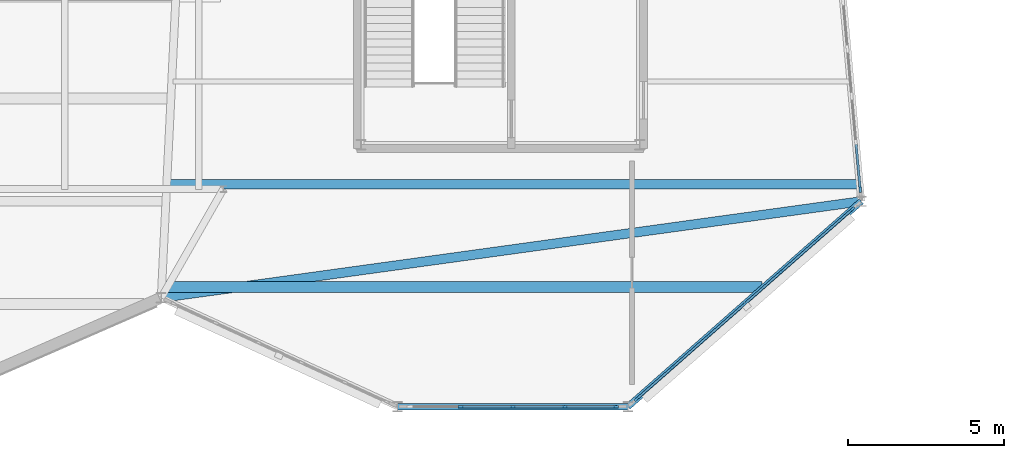
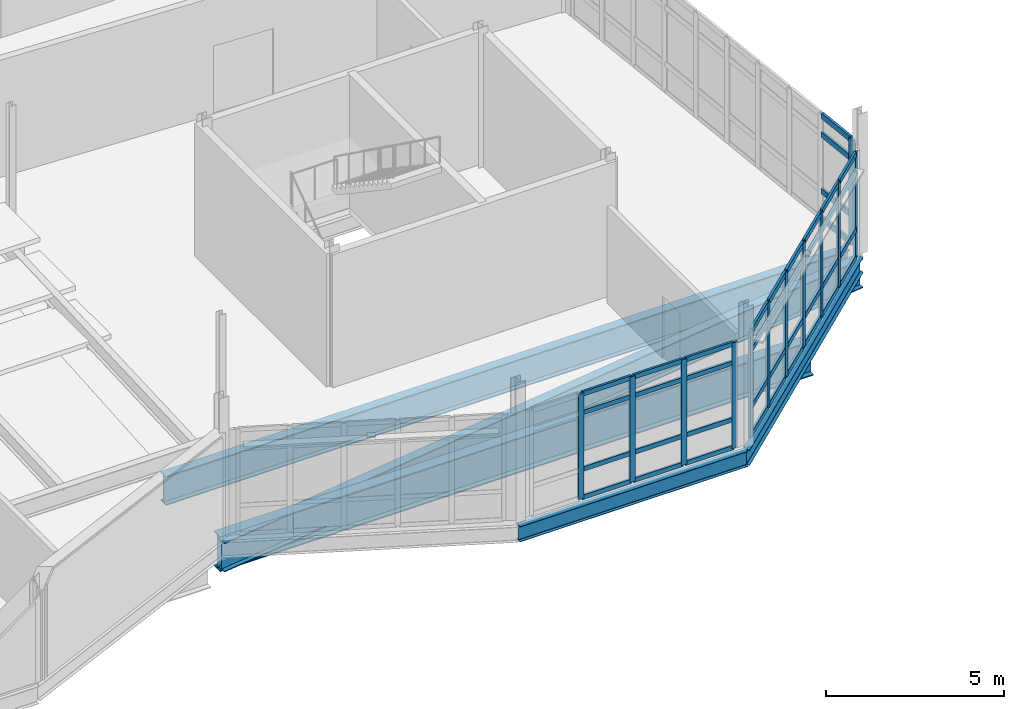
# One storey, part 27 of 134: 52 members, 5 beams, 3 elements without a shape of their own.
"""IFC4 building model written with IfcOpenShell, lengths in metres."""

import ifcopenshell
import ifcopenshell.guid

model = None  # the IFC model being written
_history = None  # IfcOwnerHistory: only IFC2X3 demands one
_inside = {}  # id of a spatial element -> (the spatial element, [elements in it])
_under = {}  # id of a project, library or spatial element -> (it, [spatial elements below it])
_declared = {}  # id of a project -> (the project, [libraries it declares])
_typed = {}  # id of a type object -> (the type object, [elements of that type])
_made_of = {}  # id of a material, layer set ... -> (it, [elements and type objects made of it])


def new_model(schema):
    """Start an empty IFC model of exactly this schema.

    Asked for "IFC4X3", IfcOpenShell would pick the latest addendum, in which some entities
    have other attributes; the version numbers below select the first issue.
    IFC2X3 requires an IfcOwnerHistory on every rooted entity: one is made here for all.
    """
    global model, _history
    if schema == "IFC4X3":
        model = ifcopenshell.file(schema_version=(4, 3, 0, 0))
    else:
        model = ifcopenshell.file(schema=schema)
    _inside.clear()
    _under.clear()
    _declared.clear()
    _typed.clear()
    _made_of.clear()
    _history = None
    if model.schema == "IFC2X3":
        org = make("IfcOrganization", Name="unknown")
        user = make(
            "IfcPersonAndOrganization",
            ThePerson=make("IfcPerson", FamilyName="unknown"),
            TheOrganization=org,
        )
        app = make(
            "IfcApplication",
            ApplicationDeveloper=org,
            Version="unknown",
            ApplicationFullName="unknown",
            ApplicationIdentifier="unknown",
        )
        _history = make(
            "IfcOwnerHistory",
            OwningUser=user,
            OwningApplication=app,
            ChangeAction="ADDED",
            CreationDate=0,
        )
    return model


def make(cls, **values):
    """One entity of the class cls with the attributes given. An attribute that is None is left unset."""
    return model.create_entity(
        cls, **{name: value for name, value in values.items() if value is not None}
    )


def rooted(cls, **values):
    """An entity with a GlobalId (a new one), such as an element, a storey or a relation."""
    return make(cls, GlobalId=ifcopenshell.guid.new(), OwnerHistory=_history, **values)


def si_unit(unit_type, name, prefix=None):
    """IfcSIUnit, for example si_unit("LENGTHUNIT", "METRE", prefix="MILLI")."""
    return make("IfcSIUnit", UnitType=unit_type, Prefix=prefix, Name=name)


def assignment(units):
    """IfcUnitAssignment: the units of a project."""
    return None if units is None else make("IfcUnitAssignment", Units=units)


def point(xyz):
    """IfcCartesianPoint."""
    return None if xyz is None else make("IfcCartesianPoint", Coordinates=xyz)


def direction(xyz):
    """IfcDirection."""
    return None if xyz is None else make("IfcDirection", DirectionRatios=xyz)


def frame(location, z_axis=None, x_axis=None):
    """IfcAxis2Placement3D, a coordinate frame: its origin and axes. An axis left out is left unset."""
    return make(
        "IfcAxis2Placement3D",
        Location=point(location),
        Axis=direction(z_axis),
        RefDirection=direction(x_axis),
    )


def frame_2d(location, x_axis=None):
    """IfcAxis2Placement2D, a coordinate frame in the plane: its origin and x axis."""
    return make(
        "IfcAxis2Placement2D", Location=point(location), RefDirection=direction(x_axis)
    )


def origin():
    """The frame at (0, 0, 0) with its axes left unset."""
    return frame((0.0, 0.0, 0.0))


def origin_2d():
    """The frame at (0, 0) in the plane with its x axis left unset."""
    return frame_2d((0.0, 0.0))


def place(relative_to, where):
    """IfcLocalPlacement: puts the frame where relative to a parent placement (None: the world)."""
    return make(
        "IfcLocalPlacement", PlacementRelTo=relative_to, RelativePlacement=where
    )


def context(
    kind, dimensions, precision=None, world=None, true_north=None, identifier=None
):
    """IfcGeometricRepresentationContext, for example the 3D "Model" context."""
    return make(
        "IfcGeometricRepresentationContext",
        ContextIdentifier=identifier,
        ContextType=kind,
        CoordinateSpaceDimension=dimensions,
        Precision=precision,
        WorldCoordinateSystem=world,
        TrueNorth=true_north,
    )


def subcontext(parent, identifier, kind, view, scale=None):
    """IfcGeometricRepresentationSubContext, for example "Body" below "Model"."""
    return make(
        "IfcGeometricRepresentationSubContext",
        ContextIdentifier=identifier,
        ContextType=kind,
        ParentContext=parent,
        TargetScale=scale,
        TargetView=view,
    )


def project(units=None, contexts=None):
    """IfcProject with its units and contexts."""
    return rooted(
        "IfcProject",
        Name="project",
        RepresentationContexts=contexts,
        UnitsInContext=assignment(units),
    )


def spatial(cls, under=None, at=None, **own):
    """A site, building, storey or space (cls), placed at a placement, below another one or the project."""
    s = rooted(cls, ObjectPlacement=at, **own)
    if under is not None:
        _under.setdefault(under.id(), (under, []))[1].append(s)
    return s


def profile(cls, at=None, kind="AREA", **sizes):
    """A parametric profile (cls). Its sizes go by their IFC names, for example OverallWidth=200.0."""
    return make(cls, ProfileType=kind, Position=at, **sizes)


def rectangle(**sizes):
    """IfcRectangleProfileDef."""
    return profile("IfcRectangleProfileDef", **sizes)


def i_section(**sizes):
    """IfcIShapeProfileDef."""
    return profile("IfcIShapeProfileDef", **sizes)


def extrude(swept, where, along, depth):
    """IfcExtrudedAreaSolid: the profile swept, set in the frame where, extruded along a direction by depth."""
    return make(
        "IfcExtrudedAreaSolid",
        SweptArea=swept,
        Position=where,
        ExtrudedDirection=direction(along),
        Depth=depth,
    )


def shape(context_of_items, identifier, shape_type, items):
    """IfcShapeRepresentation: the items that make up one representation, for example the "Body"."""
    return make(
        "IfcShapeRepresentation",
        ContextOfItems=context_of_items,
        RepresentationIdentifier=identifier,
        RepresentationType=shape_type,
        Items=items,
    )


def material(Name=None, Category=None):
    """IfcMaterial."""
    return make("IfcMaterial", Name=Name, Category=Category)


def material_profile(
    of_material, cross_section, Name=None, Category=None, Priority=None
):
    """IfcMaterialProfile: a cross section and its material."""
    return make(
        "IfcMaterialProfile",
        Name=Name,
        Material=of_material,
        Profile=cross_section,
        Priority=Priority,
        Category=Category,
    )


def profile_set(profiles, Name=None, composite=None):
    """IfcMaterialProfileSet."""
    return make(
        "IfcMaterialProfileSet",
        Name=Name,
        MaterialProfiles=profiles,
        CompositeProfile=composite,
    )


def made_of(thing, what):
    """Note that an element or type object is made of a material, layer set ...; save() writes the relation."""
    if what is not None:
        _made_of.setdefault(what.id(), (what, []))[1].append(thing)
    return thing


def type_object(cls, material=None, **own):
    """A type object (cls), such as IfcWallType, which elements share."""
    return made_of(rooted(cls, **own), material)


def element(
    cls,
    number,
    at=None,
    inside=None,
    cuts=None,
    type_object=None,
    material=None,
    context=None,
    identifier="Body",
    shape_type=None,
    held_by="IfcProductDefinitionShape",
    body=None,
    shapes=None,
    **own,
):
    """One element of the class cls, such as IfcWall. Its Tag is "e" and its number.

    at: its placement. inside: the storey or other place that contains it. cuts: it is an
    opening in that element (IfcRelVoidsElement). A single representation is given by context,
    identifier, shape_type and body (its items); several are given by shapes. held_by: the class
    of the entity that holds the representations. save() writes the other relations.
    """
    e = rooted(cls, Tag="e%d" % number, ObjectPlacement=at, **own)
    if body is not None:
        shapes = [shape(context, identifier, shape_type, body)]
    if shapes is not None:
        e.Representation = make(held_by, Representations=shapes)
    if inside is not None:
        _inside.setdefault(inside.id(), (inside, []))[1].append(e)
    if cuts is not None:
        rooted(
            "IfcRelVoidsElement", RelatingBuildingElement=cuts, RelatedOpeningElement=e
        )
    if type_object is not None:
        _typed.setdefault(type_object.id(), (type_object, []))[1].append(e)
    return made_of(e, material)


def aggregate(whole, parts):
    """IfcRelAggregates: a whole, such as a stair, and the parts it consists of."""
    return rooted("IfcRelAggregates", RelatingObject=whole, RelatedObjects=parts)


def save(model, path):
    """Write the relations noted so far, then the file.

    IfcRelAggregates (storeys below a building ...), IfcRelContainedInSpatialStructure (elements
    in a storey), IfcRelDefinesByType, IfcRelAssociatesMaterial and IfcRelDeclares: one each for
    every whole, place, type object, material and project.
    """
    for whole, parts in _under.values():
        aggregate(whole, parts)
    for where, things in _inside.values():
        rooted(
            "IfcRelContainedInSpatialStructure",
            RelatedElements=things,
            RelatingStructure=where,
        )
    for kind, things in _typed.values():
        rooted("IfcRelDefinesByType", RelatedObjects=things, RelatingType=kind)
    for what, things in _made_of.values():
        rooted("IfcRelAssociatesMaterial", RelatedObjects=things, RelatingMaterial=what)
    for by, libraries in _declared.values():
        rooted("IfcRelDeclares", RelatingContext=by, RelatedDefinitions=libraries)
    model.write(path)


model = new_model("IFC4")

# Units and contexts
model_context = context("Model", 3, precision=1e-05, world=origin(), true_north=direction((0.0, 1.0)))
body_context = subcontext(model_context, "Body", "Model", "MODEL_VIEW")
ifc_project = project(units=[si_unit("LENGTHUNIT", "METRE"), si_unit("AREAUNIT", "SQUARE_METRE"), si_unit("VOLUMEUNIT", "CUBIC_METRE"), si_unit("PLANEANGLEUNIT", "RADIAN"), si_unit("MASSUNIT", "GRAM", prefix="KILO")], contexts=[model_context])

# Site, building, storey
site_placement = place(None, origin())
site = spatial("IfcSite", under=ifc_project, at=site_placement, CompositionType="ELEMENT")
building_placement = place(site_placement, origin())
building = spatial("IfcBuilding", under=site, at=building_placement, Name="Tameran Prism Museum", CompositionType="ELEMENT")
storey_placement = place(building_placement, frame((0.0, 0.0, 5.39990234375)))
storey = spatial("IfcBuildingStorey", under=building, at=storey_placement, Name="L01", CompositionType="ELEMENT", Elevation=5.39990234375)

# Beams
ifc_material_1 = material(Name="Steel Grade 300PLUS (300 MPa)", Category="steel")
ifc_material_profile_1 = material_profile(ifc_material_1, i_section(OverallWidth=0.208984375, OverallDepth=0.532958984375, WebThickness=0.01025390625, FlangeThickness=0.015625, FilletRadius=0.013916015625, at=origin_2d()))
ifc_profile_set_1 = profile_set([ifc_material_profile_1])
beam_type_1 = type_object("IfcBeamType", Name="BM-SP530A", PredefinedType="SPANDREL", material=ifc_profile_set_1)
beam_1_placement = place(storey_placement, frame((37.60009765625, 0.0, -0.46630859375), z_axis=(0.75070866914, 0.660633403696, 0.0), x_axis=(-0.660633403696, 0.75070866914, 0.0)))
element("IfcBeam", 1, at=beam_1_placement, inside=storey, type_object=beam_type_1, Name="Perimeter Spandrel SP-0393", PredefinedType="SPANDREL", context=body_context, shape_type="SweptSolid", body=[
    extrude(i_section(OverallWidth=0.208984375, OverallDepth=0.532958984375, WebThickness=0.01025390625, FlangeThickness=0.015625, FilletRadius=0.013916015625, at=origin_2d()), origin(), (0.0, 0.0, 1.0), 9.990478515625),
])
ifc_material_2 = material(Name="Steel Grade 300PLUS (300 MPa)", Category="steel")
ifc_material_profile_2 = material_profile(ifc_material_2, i_section(OverallWidth=0.208984375, OverallDepth=0.528076171875, WebThickness=0.009521484375, FlangeThickness=0.01318359375, FilletRadius=0.013916015625, at=origin_2d()))
ifc_profile_set_2 = profile_set([ifc_material_profile_2])
beam_type_2 = type_object("IfcBeamType", Name="BM-SP530B", PredefinedType="SPANDREL", material=ifc_profile_set_2)
beam_2_placement = place(storey_placement, frame((30.199951171875, 0.0, -0.4638671875), z_axis=(1.0, 0.0, 0.0), x_axis=(0.0, 1.0, 0.0)))
element("IfcBeam", 2, at=beam_2_placement, inside=storey, type_object=beam_type_2, Name="Perimeter Spandrel SP-0392", PredefinedType="SPANDREL", context=body_context, shape_type="SweptSolid", body=[
    extrude(i_section(OverallWidth=0.208984375, OverallDepth=0.528076171875, WebThickness=0.009521484375, FlangeThickness=0.01318359375, FilletRadius=0.013916015625, at=origin_2d()), origin(), (0.0, 0.0, 1.0), 7.400146484375),
])
ifc_material_3 = material(Name="Steel Grade 350 (350 MPa)", Category="steel")
ifc_material_profile_3 = material_profile(ifc_material_3, i_section(OverallWidth=0.300048828125, OverallDepth=1.0, WebThickness=0.01611328125, FlangeThickness=0.031982421875, at=origin_2d()))
ifc_profile_set_3 = profile_set([ifc_material_profile_3])
beam_type_3 = type_object("IfcBeamType", Name="BM-WB1000", PredefinedType="BEAM", material=ifc_profile_set_3)
beam_3_placement = place(storey_placement, frame((22.60009765625, 3.5, -0.699951171875), z_axis=(0.990641086736, 0.136492627163, 0.0), x_axis=(-0.136492627163, 0.990641086736, 0.0)))
element("IfcBeam", 3, at=beam_3_placement, inside=storey, type_object=beam_type_3, Name="Primary Vertex Girder PG-0396", PredefinedType="BEAM", context=body_context, shape_type="SweptSolid", body=[
    extrude(i_section(OverallWidth=0.300048828125, OverallDepth=1.0, WebThickness=0.01611328125, FlangeThickness=0.031982421875, at=origin_2d()), origin(), (0.0, 0.0, 1.0), 22.712646484375),
])
beam_4_placement = place(storey_placement, frame((22.818115234375, 7.14990234375, -0.699951171875), z_axis=(1.0, 0.0, 0.0), x_axis=(0.0, 1.0, 0.0)))
element("IfcBeam", 4, at=beam_4_placement, inside=storey, type_object=beam_type_3, Name="Floor Beam BM-0590", PredefinedType="BEAM", context=body_context, shape_type="SweptSolid", body=[
    extrude(i_section(OverallWidth=0.300048828125, OverallDepth=1.0, WebThickness=0.01611328125, FlangeThickness=0.031982421875, at=origin_2d()), origin(), (0.0, 0.0, 1.0), 22.19189453125),
])
ifc_material_4 = material(Name="Steel Grade 350 (350 MPa)", Category="steel")
ifc_material_profile_4 = material_profile(ifc_material_4, i_section(OverallWidth=0.35009765625, OverallDepth=1.199951171875, WebThickness=0.01611328125, FlangeThickness=0.035888671875, at=origin_2d()))
ifc_profile_set_4 = profile_set([ifc_material_profile_4])
beam_type_4 = type_object("IfcBeamType", Name="BM-WB1200", PredefinedType="BEAM", material=ifc_profile_set_4)
beam_5_placement = place(storey_placement, frame((22.656982421875, 3.85009765625, -0.7998046875), z_axis=(1.0, 0.0, 0.0), x_axis=(0.0, 1.0, 0.0)))
element("IfcBeam", 5, at=beam_5_placement, inside=storey, type_object=beam_type_4, Name="Floor Beam BM-0589", PredefinedType="BEAM", context=body_context, shape_type="SweptSolid", body=[
    extrude(i_section(OverallWidth=0.35009765625, OverallDepth=1.199951171875, WebThickness=0.01611328125, FlangeThickness=0.035888671875, at=origin_2d()), origin(), (0.0, 0.0, 1.0), 19.257080078125),
])

# Curtain wall, members
ifc_material_5 = material(Name="Anodised Aluminium 6063-T6 and Cyclone Solar Glass", Category="aluminium")
curtain_wall_type_1 = type_object("IfcCurtainWallType", Name="CW-FAC-670x362", PredefinedType="USERDEFINED", material=ifc_material_5)
curtain_wall_1_placement = place(storey_placement, origin())
curtain_wall_1 = element("IfcCurtainWall", 6, at=curtain_wall_1_placement, inside=storey, type_object=curtain_wall_type_1, Name="Unitised Curtain Wall CW-084", ObjectType="UNITISED CURTAIN WALL", PredefinedType="USERDEFINED")
ifc_material_6 = material(Name="Anodised Aluminium Alloy 6063-T6", Category="aluminium")
ifc_material_profile_5 = material_profile(ifc_material_6, rectangle(XDim=0.070068359375, YDim=0.179931640625, at=origin_2d()))
ifc_profile_set_5 = profile_set([ifc_material_profile_5])
member_type_1 = type_object("IfcMemberType", Name="CW-MUL-B", PredefinedType="MULLION", material=ifc_profile_set_5)
member_1_placement = place(storey_placement, frame((37.215087890625, 0.0, 0.0), z_axis=(0.0, 0.0, 1.0), x_axis=(0.0, -1.0, 0.0)))
member_1 = element("IfcMember", 7, at=member_1_placement, type_object=member_type_1, Name="CW-084 mullion 1", PredefinedType="MULLION", context=body_context, shape_type="SweptSolid", body=[
    extrude(rectangle(XDim=0.070068359375, YDim=0.179931640625, at=origin_2d()), origin(), (0.0, 0.0, 1.0), 3.6201171875),
])
member_2_placement = place(storey_placement, frame((35.574951171875, 0.0, 0.0), z_axis=(0.0, 0.0, 1.0), x_axis=(0.0, -1.0, 0.0)))
member_2 = element("IfcMember", 8, at=member_2_placement, type_object=member_type_1, Name="CW-084 mullion 2", PredefinedType="MULLION", context=body_context, shape_type="SweptSolid", body=[
    extrude(rectangle(XDim=0.070068359375, YDim=0.179931640625, at=origin_2d()), origin(), (0.0, 0.0, 1.0), 3.6201171875),
])
member_3_placement = place(storey_placement, frame((33.89990234375, 0.0, 0.0), z_axis=(0.0, 0.0, 1.0), x_axis=(0.0, -1.0, 0.0)))
member_3 = element("IfcMember", 9, at=member_3_placement, type_object=member_type_1, Name="CW-084 mullion 3", PredefinedType="MULLION", context=body_context, shape_type="SweptSolid", body=[
    extrude(rectangle(XDim=0.070068359375, YDim=0.179931640625, at=origin_2d()), origin(), (0.0, 0.0, 1.0), 3.6201171875),
])
member_4_placement = place(storey_placement, frame((32.22509765625, 0.0, 0.0), z_axis=(0.0, 0.0, 1.0), x_axis=(0.0, -1.0, 0.0)))
member_4 = element("IfcMember", 10, at=member_4_placement, type_object=member_type_1, Name="CW-084 mullion 4", PredefinedType="MULLION", context=body_context, shape_type="SweptSolid", body=[
    extrude(rectangle(XDim=0.070068359375, YDim=0.179931640625, at=origin_2d()), origin(), (0.0, 0.0, 1.0), 3.6201171875),
])

ifc_material_7 = material(Name="Anodised Aluminium 6063-T6 and Cyclone Solar Glass", Category="aluminium")
curtain_wall_type_2 = type_object("IfcCurtainWallType", Name="CW-FAC-929x362", PredefinedType="USERDEFINED", material=ifc_material_7)
curtain_wall_2_placement = place(storey_placement, origin())
curtain_wall_2 = element("IfcCurtainWall", 11, at=curtain_wall_2_placement, inside=storey, type_object=curtain_wall_type_2, Name="Unitised Curtain Wall CW-085", ObjectType="UNITISED CURTAIN WALL", PredefinedType="USERDEFINED")
ifc_material_8 = material(Name="Anodised Aluminium Alloy 6063-T6", Category="aluminium")
ifc_material_profile_6 = material_profile(ifc_material_8, rectangle(XDim=0.074951171875, YDim=0.199951171875, at=origin_2d()))
ifc_profile_set_6 = profile_set([ifc_material_profile_6])
member_type_2 = type_object("IfcMemberType", Name="CW-MUL-C", PredefinedType="MULLION", material=ifc_profile_set_6)
member_5_placement = place(storey_placement, frame((44.808837890625, 6.34423828125, 0.0), z_axis=(0.0, 0.0, 1.0), x_axis=(0.660681275391, -0.750666538716, 0.0)))
member_5 = element("IfcMember", 12, at=member_5_placement, type_object=member_type_2, Name="CW-085 mullion 1", PredefinedType="MULLION", context=body_context, shape_type="SweptSolid", body=[
    extrude(rectangle(XDim=0.074951171875, YDim=0.199951171875, at=origin_2d()), origin(), (0.0, 0.0, 1.0), 3.6201171875),
])
member_6_placement = place(storey_placement, frame((43.674560546875, 5.345947265625, 0.0), z_axis=(0.0, 0.0, 1.0), x_axis=(0.660681275391, -0.750666538716, 0.0)))
member_6 = element("IfcMember", 13, at=member_6_placement, type_object=member_type_2, Name="CW-085 mullion 2", PredefinedType="MULLION", context=body_context, shape_type="SweptSolid", body=[
    extrude(rectangle(XDim=0.074951171875, YDim=0.199951171875, at=origin_2d()), origin(), (0.0, 0.0, 1.0), 3.6201171875),
])
member_7_placement = place(storey_placement, frame((42.512451171875, 4.322998046875, 0.0), z_axis=(0.0, 0.0, 1.0), x_axis=(0.660681275391, -0.750666538716, 0.0)))
member_7 = element("IfcMember", 14, at=member_7_placement, type_object=member_type_2, Name="CW-085 mullion 3", PredefinedType="MULLION", context=body_context, shape_type="SweptSolid", body=[
    extrude(rectangle(XDim=0.074951171875, YDim=0.199951171875, at=origin_2d()), origin(), (0.0, 0.0, 1.0), 3.6201171875),
])
member_8_placement = place(storey_placement, frame((41.35009765625, 3.300048828125, 0.0), z_axis=(0.0, 0.0, 1.0), x_axis=(0.660681275391, -0.750666538716, 0.0)))
member_8 = element("IfcMember", 15, at=member_8_placement, type_object=member_type_2, Name="CW-085 mullion 4", PredefinedType="MULLION", context=body_context, shape_type="SweptSolid", body=[
    extrude(rectangle(XDim=0.074951171875, YDim=0.199951171875, at=origin_2d()), origin(), (0.0, 0.0, 1.0), 3.6201171875),
])
member_9_placement = place(storey_placement, frame((40.187744140625, 2.277099609375, 0.0), z_axis=(0.0, 0.0, 1.0), x_axis=(0.660681275391, -0.750666538716, 0.0)))
member_9 = element("IfcMember", 16, at=member_9_placement, type_object=member_type_2, Name="CW-085 mullion 5", PredefinedType="MULLION", context=body_context, shape_type="SweptSolid", body=[
    extrude(rectangle(XDim=0.074951171875, YDim=0.199951171875, at=origin_2d()), origin(), (0.0, 0.0, 1.0), 3.6201171875),
])
member_10_placement = place(storey_placement, frame((39.025390625, 1.25390625, 0.0), z_axis=(0.0, 0.0, 1.0), x_axis=(0.660681275391, -0.750666538716, 0.0)))
member_10 = element("IfcMember", 17, at=member_10_placement, type_object=member_type_2, Name="CW-085 mullion 6", PredefinedType="MULLION", context=body_context, shape_type="SweptSolid", body=[
    extrude(rectangle(XDim=0.074951171875, YDim=0.199951171875, at=origin_2d()), origin(), (0.0, 0.0, 1.0), 3.6201171875),
])
member_11_placement = place(storey_placement, frame((37.89111328125, 0.255859375, 0.0), z_axis=(0.0, 0.0, 1.0), x_axis=(0.660681275391, -0.750666538716, 0.0)))
member_11 = element("IfcMember", 18, at=member_11_placement, type_object=member_type_2, Name="CW-085 mullion 7", PredefinedType="MULLION", context=body_context, shape_type="SweptSolid", body=[
    extrude(rectangle(XDim=0.074951171875, YDim=0.199951171875, at=origin_2d()), origin(), (0.0, 0.0, 1.0), 3.6201171875),
])

# Curtain wall, member
ifc_material_9 = material(Name="Anodised Aluminium 6063-T6 and Cyclone Solar Glass", Category="aluminium")
curtain_wall_type_3 = type_object("IfcCurtainWallType", Name="CW-FAC-1370x362", PredefinedType="USERDEFINED", material=ifc_material_9)
curtain_wall_3_placement = place(storey_placement, origin())
curtain_wall_3 = element("IfcCurtainWall", 19, at=curtain_wall_3_placement, inside=storey, type_object=curtain_wall_type_3, Name="Unitised Curtain Wall CW-086", ObjectType="UNITISED CURTAIN WALL", PredefinedType="USERDEFINED")
ifc_material_10 = material(Name="Anodised Aluminium Alloy 6063-T6", Category="aluminium")
ifc_material_profile_7 = material_profile(ifc_material_10, rectangle(XDim=0.080078125, YDim=0.219970703125, at=origin_2d()))
ifc_profile_set_7 = profile_set([ifc_material_profile_7])
member_type_3 = type_object("IfcMemberType", Name="CW-MUL-D", PredefinedType="MULLION", material=ifc_profile_set_7)
member_12_placement = place(storey_placement, frame((45.0654296875, 6.98876953125, 0.0), z_axis=(0.0, 0.0, 1.0), x_axis=(0.995940344723, 0.090015719474, 0.0)))
member_12 = element("IfcMember", 20, at=member_12_placement, type_object=member_type_3, Name="CW-086 mullion 10", PredefinedType="MULLION", context=body_context, shape_type="SweptSolid", body=[
    extrude(rectangle(XDim=0.080078125, YDim=0.219970703125, at=origin_2d()), origin(), (0.0, 0.0, 1.0), 3.6201171875),
])

# Member
ifc_material_11 = material(Name="Anodised Aluminium Alloy 6063-T6", Category="aluminium")
ifc_material_profile_8 = material_profile(ifc_material_11, rectangle(XDim=0.070068359375, YDim=0.155029296875, at=origin_2d()))
ifc_profile_set_8 = profile_set([ifc_material_profile_8])
member_type_4 = type_object("IfcMemberType", Name="CW-TRN-B", PredefinedType="USERDEFINED", material=ifc_profile_set_8)
member_13_placement = place(storey_placement, frame((37.179931640625, 0.0, 0.03515625), z_axis=(-1.0, 0.0, 0.0), x_axis=(0.0, -1.0, 0.0)))
member_13 = element("IfcMember", 21, at=member_13_placement, type_object=member_type_4, Name="CW-084 transom 1.1", ObjectType="TRANSOM", PredefinedType="USERDEFINED", context=body_context, shape_type="SweptSolid", body=[
    extrude(rectangle(XDim=0.070068359375, YDim=0.155029296875, at=origin_2d()), origin(), (0.0, 0.0, 1.0), 1.56982421875),
])

member_14_placement = place(storey_placement, frame((37.179931640625, 0.0, 1.0), z_axis=(-1.0, 0.0, 0.0), x_axis=(0.0, -1.0, 0.0)))
member_14 = element("IfcMember", 22, at=member_14_placement, type_object=member_type_4, Name="CW-084 transom 1.2", ObjectType="TRANSOM", PredefinedType="USERDEFINED", context=body_context, shape_type="SweptSolid", body=[
    extrude(rectangle(XDim=0.070068359375, YDim=0.155029296875, at=origin_2d()), origin(), (0.0, 0.0, 1.0), 1.56982421875),
])

member_15_placement = place(storey_placement, frame((37.179931640625, 0.0, 2.940185546875), z_axis=(-1.0, 0.0, 0.0), x_axis=(0.0, -1.0, 0.0)))
member_15 = element("IfcMember", 23, at=member_15_placement, type_object=member_type_4, Name="CW-084 transom 1.3", ObjectType="TRANSOM", PredefinedType="USERDEFINED", context=body_context, shape_type="SweptSolid", body=[
    extrude(rectangle(XDim=0.070068359375, YDim=0.155029296875, at=origin_2d()), origin(), (0.0, 0.0, 1.0), 1.56982421875),
])

member_16_placement = place(storey_placement, frame((37.179931640625, 0.0, 3.585205078125), z_axis=(-1.0, 0.0, 0.0), x_axis=(0.0, -1.0, 0.0)))
member_16 = element("IfcMember", 24, at=member_16_placement, type_object=member_type_4, Name="CW-084 transom 1.4", ObjectType="TRANSOM", PredefinedType="USERDEFINED", context=body_context, shape_type="SweptSolid", body=[
    extrude(rectangle(XDim=0.070068359375, YDim=0.155029296875, at=origin_2d()), origin(), (0.0, 0.0, 1.0), 1.56982421875),
])

member_17_placement = place(storey_placement, frame((35.5400390625, 0.0, 0.03515625), z_axis=(-1.0, 0.0, 0.0), x_axis=(0.0, -1.0, 0.0)))
member_17 = element("IfcMember", 25, at=member_17_placement, type_object=member_type_4, Name="CW-084 transom 2.1", ObjectType="TRANSOM", PredefinedType="USERDEFINED", context=body_context, shape_type="SweptSolid", body=[
    extrude(rectangle(XDim=0.070068359375, YDim=0.155029296875, at=origin_2d()), origin(), (0.0, 0.0, 1.0), 1.60498046875),
])

member_18_placement = place(storey_placement, frame((35.5400390625, 0.0, 1.0), z_axis=(-1.0, 0.0, 0.0), x_axis=(0.0, -1.0, 0.0)))
member_18 = element("IfcMember", 26, at=member_18_placement, type_object=member_type_4, Name="CW-084 transom 2.2", ObjectType="TRANSOM", PredefinedType="USERDEFINED", context=body_context, shape_type="SweptSolid", body=[
    extrude(rectangle(XDim=0.070068359375, YDim=0.155029296875, at=origin_2d()), origin(), (0.0, 0.0, 1.0), 1.60498046875),
])

member_19_placement = place(storey_placement, frame((35.5400390625, 0.0, 2.940185546875), z_axis=(-1.0, 0.0, 0.0), x_axis=(0.0, -1.0, 0.0)))
member_19 = element("IfcMember", 27, at=member_19_placement, type_object=member_type_4, Name="CW-084 transom 2.3", ObjectType="TRANSOM", PredefinedType="USERDEFINED", context=body_context, shape_type="SweptSolid", body=[
    extrude(rectangle(XDim=0.070068359375, YDim=0.155029296875, at=origin_2d()), origin(), (0.0, 0.0, 1.0), 1.60498046875),
])

member_20_placement = place(storey_placement, frame((35.5400390625, 0.0, 3.585205078125), z_axis=(-1.0, 0.0, 0.0), x_axis=(0.0, -1.0, 0.0)))
member_20 = element("IfcMember", 28, at=member_20_placement, type_object=member_type_4, Name="CW-084 transom 2.4", ObjectType="TRANSOM", PredefinedType="USERDEFINED", context=body_context, shape_type="SweptSolid", body=[
    extrude(rectangle(XDim=0.070068359375, YDim=0.155029296875, at=origin_2d()), origin(), (0.0, 0.0, 1.0), 1.60498046875),
])

member_21_placement = place(storey_placement, frame((33.864990234375, 0.0, 0.03515625), z_axis=(-1.0, 0.0, 0.0), x_axis=(0.0, -1.0, 0.0)))
member_21 = element("IfcMember", 29, at=member_21_placement, type_object=member_type_4, Name="CW-084 transom 3.1", ObjectType="TRANSOM", PredefinedType="USERDEFINED", context=body_context, shape_type="SweptSolid", body=[
    extrude(rectangle(XDim=0.070068359375, YDim=0.155029296875, at=origin_2d()), origin(), (0.0, 0.0, 1.0), 1.60498046875),
])

member_22_placement = place(storey_placement, frame((33.864990234375, 0.0, 1.0), z_axis=(-1.0, 0.0, 0.0), x_axis=(0.0, -1.0, 0.0)))
member_22 = element("IfcMember", 30, at=member_22_placement, type_object=member_type_4, Name="CW-084 transom 3.2", ObjectType="TRANSOM", PredefinedType="USERDEFINED", context=body_context, shape_type="SweptSolid", body=[
    extrude(rectangle(XDim=0.070068359375, YDim=0.155029296875, at=origin_2d()), origin(), (0.0, 0.0, 1.0), 1.60498046875),
])

member_23_placement = place(storey_placement, frame((33.864990234375, 0.0, 2.940185546875), z_axis=(-1.0, 0.0, 0.0), x_axis=(0.0, -1.0, 0.0)))
member_23 = element("IfcMember", 31, at=member_23_placement, type_object=member_type_4, Name="CW-084 transom 3.3", ObjectType="TRANSOM", PredefinedType="USERDEFINED", context=body_context, shape_type="SweptSolid", body=[
    extrude(rectangle(XDim=0.070068359375, YDim=0.155029296875, at=origin_2d()), origin(), (0.0, 0.0, 1.0), 1.60498046875),
])

member_24_placement = place(storey_placement, frame((33.864990234375, 0.0, 3.585205078125), z_axis=(-1.0, 0.0, 0.0), x_axis=(0.0, -1.0, 0.0)))
member_24 = element("IfcMember", 32, at=member_24_placement, type_object=member_type_4, Name="CW-084 transom 3.4", ObjectType="TRANSOM", PredefinedType="USERDEFINED", context=body_context, shape_type="SweptSolid", body=[
    extrude(rectangle(XDim=0.070068359375, YDim=0.155029296875, at=origin_2d()), origin(), (0.0, 0.0, 1.0), 1.60498046875),
])

aggregate(curtain_wall_1, [member_1, member_2, member_3, member_4, member_13, member_14, member_15, member_16, member_17, member_18, member_19, member_20, member_21, member_22, member_23, member_24])

ifc_material_12 = material(Name="Anodised Aluminium Alloy 6063-T6", Category="aluminium")
ifc_material_profile_9 = material_profile(ifc_material_12, rectangle(XDim=0.074951171875, YDim=0.175048828125, at=origin_2d()))
ifc_profile_set_9 = profile_set([ifc_material_profile_9])
member_type_5 = type_object("IfcMemberType", Name="CW-TRN-C", PredefinedType="USERDEFINED", material=ifc_profile_set_9)
member_25_placement = place(storey_placement, frame((44.78076171875, 6.3193359375, 0.03759765625), z_axis=(-0.750730382768, -0.660608728665, 0.0), x_axis=(0.660608728665, -0.750730382768, 0.0)))
member_25 = element("IfcMember", 33, at=member_25_placement, type_object=member_type_5, Name="CW-085 transom 1.1", ObjectType="TRANSOM", PredefinedType="USERDEFINED", context=body_context, shape_type="SweptSolid", body=[
    extrude(rectangle(XDim=0.074951171875, YDim=0.175048828125, at=origin_2d()), origin(), (0.0, 0.0, 1.0), 1.435791015625),
])

member_26_placement = place(storey_placement, frame((44.78076171875, 6.3193359375, 1.0), z_axis=(-0.750730382768, -0.660608728665, 0.0), x_axis=(0.660608728665, -0.750730382768, 0.0)))
member_26 = element("IfcMember", 34, at=member_26_placement, type_object=member_type_5, Name="CW-085 transom 1.2", ObjectType="TRANSOM", PredefinedType="USERDEFINED", context=body_context, shape_type="SweptSolid", body=[
    extrude(rectangle(XDim=0.074951171875, YDim=0.175048828125, at=origin_2d()), origin(), (0.0, 0.0, 1.0), 1.435791015625),
])

member_27_placement = place(storey_placement, frame((44.78076171875, 6.3193359375, 2.940185546875), z_axis=(-0.750730382768, -0.660608728665, 0.0), x_axis=(0.660608728665, -0.750730382768, 0.0)))
member_27 = element("IfcMember", 35, at=member_27_placement, type_object=member_type_5, Name="CW-085 transom 1.3", ObjectType="TRANSOM", PredefinedType="USERDEFINED", context=body_context, shape_type="SweptSolid", body=[
    extrude(rectangle(XDim=0.074951171875, YDim=0.175048828125, at=origin_2d()), origin(), (0.0, 0.0, 1.0), 1.435791015625),
])

member_28_placement = place(storey_placement, frame((44.78076171875, 6.3193359375, 3.58251953125), z_axis=(-0.750730382768, -0.660608728665, 0.0), x_axis=(0.660608728665, -0.750730382768, 0.0)))
member_28 = element("IfcMember", 36, at=member_28_placement, type_object=member_type_5, Name="CW-085 transom 1.4", ObjectType="TRANSOM", PredefinedType="USERDEFINED", context=body_context, shape_type="SweptSolid", body=[
    extrude(rectangle(XDim=0.074951171875, YDim=0.175048828125, at=origin_2d()), origin(), (0.0, 0.0, 1.0), 1.435791015625),
])

member_29_placement = place(storey_placement, frame((43.646484375, 5.3212890625, 0.03759765625), z_axis=(-0.750582024663, -0.660777287937, 0.0), x_axis=(0.660777287937, -0.750582024663, 0.0)))
member_29 = element("IfcMember", 37, at=member_29_placement, type_object=member_type_5, Name="CW-085 transom 2.1", ObjectType="TRANSOM", PredefinedType="USERDEFINED", context=body_context, shape_type="SweptSolid", body=[
    extrude(rectangle(XDim=0.074951171875, YDim=0.175048828125, at=origin_2d()), origin(), (0.0, 0.0, 1.0), 1.473388671875),
])

member_30_placement = place(storey_placement, frame((43.646484375, 5.3212890625, 1.0), z_axis=(-0.750582024663, -0.660777287937, 0.0), x_axis=(0.660777287937, -0.750582024663, 0.0)))
member_30 = element("IfcMember", 38, at=member_30_placement, type_object=member_type_5, Name="CW-085 transom 2.2", ObjectType="TRANSOM", PredefinedType="USERDEFINED", context=body_context, shape_type="SweptSolid", body=[
    extrude(rectangle(XDim=0.074951171875, YDim=0.175048828125, at=origin_2d()), origin(), (0.0, 0.0, 1.0), 1.473388671875),
])

member_31_placement = place(storey_placement, frame((43.646484375, 5.3212890625, 2.940185546875), z_axis=(-0.750582024663, -0.660777287937, 0.0), x_axis=(0.660777287937, -0.750582024663, 0.0)))
member_31 = element("IfcMember", 39, at=member_31_placement, type_object=member_type_5, Name="CW-085 transom 2.3", ObjectType="TRANSOM", PredefinedType="USERDEFINED", context=body_context, shape_type="SweptSolid", body=[
    extrude(rectangle(XDim=0.074951171875, YDim=0.175048828125, at=origin_2d()), origin(), (0.0, 0.0, 1.0), 1.473388671875),
])

member_32_placement = place(storey_placement, frame((43.646484375, 5.3212890625, 3.58251953125), z_axis=(-0.750582024663, -0.660777287937, 0.0), x_axis=(0.660777287937, -0.750582024663, 0.0)))
member_32 = element("IfcMember", 40, at=member_32_placement, type_object=member_type_5, Name="CW-085 transom 2.4", ObjectType="TRANSOM", PredefinedType="USERDEFINED", context=body_context, shape_type="SweptSolid", body=[
    extrude(rectangle(XDim=0.074951171875, YDim=0.175048828125, at=origin_2d()), origin(), (0.0, 0.0, 1.0), 1.473388671875),
])

member_33_placement = place(storey_placement, frame((42.484130859375, 4.29833984375, 0.03759765625), z_axis=(-0.750582024663, -0.660777287937, 0.0), x_axis=(0.660777287937, -0.750582024663, 0.0)))
member_33 = element("IfcMember", 41, at=member_33_placement, type_object=member_type_5, Name="CW-085 transom 3.1", ObjectType="TRANSOM", PredefinedType="USERDEFINED", context=body_context, shape_type="SweptSolid", body=[
    extrude(rectangle(XDim=0.074951171875, YDim=0.175048828125, at=origin_2d()), origin(), (0.0, 0.0, 1.0), 1.473388671875),
])

member_34_placement = place(storey_placement, frame((42.484130859375, 4.29833984375, 1.0), z_axis=(-0.750582024663, -0.660777287937, 0.0), x_axis=(0.660777287937, -0.750582024663, 0.0)))
member_34 = element("IfcMember", 42, at=member_34_placement, type_object=member_type_5, Name="CW-085 transom 3.2", ObjectType="TRANSOM", PredefinedType="USERDEFINED", context=body_context, shape_type="SweptSolid", body=[
    extrude(rectangle(XDim=0.074951171875, YDim=0.175048828125, at=origin_2d()), origin(), (0.0, 0.0, 1.0), 1.473388671875),
])

member_35_placement = place(storey_placement, frame((42.484130859375, 4.29833984375, 2.940185546875), z_axis=(-0.750582024663, -0.660777287937, 0.0), x_axis=(0.660777287937, -0.750582024663, 0.0)))
member_35 = element("IfcMember", 43, at=member_35_placement, type_object=member_type_5, Name="CW-085 transom 3.3", ObjectType="TRANSOM", PredefinedType="USERDEFINED", context=body_context, shape_type="SweptSolid", body=[
    extrude(rectangle(XDim=0.074951171875, YDim=0.175048828125, at=origin_2d()), origin(), (0.0, 0.0, 1.0), 1.473388671875),
])

member_36_placement = place(storey_placement, frame((42.484130859375, 4.29833984375, 3.58251953125), z_axis=(-0.750582024663, -0.660777287937, 0.0), x_axis=(0.660777287937, -0.750582024663, 0.0)))
member_36 = element("IfcMember", 44, at=member_36_placement, type_object=member_type_5, Name="CW-085 transom 3.4", ObjectType="TRANSOM", PredefinedType="USERDEFINED", context=body_context, shape_type="SweptSolid", body=[
    extrude(rectangle(XDim=0.074951171875, YDim=0.175048828125, at=origin_2d()), origin(), (0.0, 0.0, 1.0), 1.473388671875),
])

member_37_placement = place(storey_placement, frame((41.32177734375, 3.275146484375, 0.03759765625), z_axis=(-0.750664205411, -0.660683926484, 0.0), x_axis=(0.660683926484, -0.750664205411, 0.0)))
member_37 = element("IfcMember", 45, at=member_37_placement, type_object=member_type_5, Name="CW-085 transom 4.1", ObjectType="TRANSOM", PredefinedType="USERDEFINED", context=body_context, shape_type="SweptSolid", body=[
    extrude(rectangle(XDim=0.074951171875, YDim=0.175048828125, at=origin_2d()), origin(), (0.0, 0.0, 1.0), 1.473388671875),
])

member_38_placement = place(storey_placement, frame((41.32177734375, 3.275146484375, 1.0), z_axis=(-0.750664205411, -0.660683926484, 0.0), x_axis=(0.660683926484, -0.750664205411, 0.0)))
member_38 = element("IfcMember", 46, at=member_38_placement, type_object=member_type_5, Name="CW-085 transom 4.2", ObjectType="TRANSOM", PredefinedType="USERDEFINED", context=body_context, shape_type="SweptSolid", body=[
    extrude(rectangle(XDim=0.074951171875, YDim=0.175048828125, at=origin_2d()), origin(), (0.0, 0.0, 1.0), 1.473388671875),
])

member_39_placement = place(storey_placement, frame((41.32177734375, 3.275146484375, 2.940185546875), z_axis=(-0.750664205411, -0.660683926484, 0.0), x_axis=(0.660683926484, -0.750664205411, 0.0)))
member_39 = element("IfcMember", 47, at=member_39_placement, type_object=member_type_5, Name="CW-085 transom 4.3", ObjectType="TRANSOM", PredefinedType="USERDEFINED", context=body_context, shape_type="SweptSolid", body=[
    extrude(rectangle(XDim=0.074951171875, YDim=0.175048828125, at=origin_2d()), origin(), (0.0, 0.0, 1.0), 1.473388671875),
])

member_40_placement = place(storey_placement, frame((41.32177734375, 3.275146484375, 3.58251953125), z_axis=(-0.750664205411, -0.660683926484, 0.0), x_axis=(0.660683926484, -0.750664205411, 0.0)))
member_40 = element("IfcMember", 48, at=member_40_placement, type_object=member_type_5, Name="CW-085 transom 4.4", ObjectType="TRANSOM", PredefinedType="USERDEFINED", context=body_context, shape_type="SweptSolid", body=[
    extrude(rectangle(XDim=0.074951171875, YDim=0.175048828125, at=origin_2d()), origin(), (0.0, 0.0, 1.0), 1.473388671875),
])

member_41_placement = place(storey_placement, frame((40.159423828125, 2.252197265625, 0.03759765625), z_axis=(-0.750664205411, -0.660683926484, 0.0), x_axis=(0.660683926484, -0.750664205411, 0.0)))
member_41 = element("IfcMember", 49, at=member_41_placement, type_object=member_type_5, Name="CW-085 transom 5.1", ObjectType="TRANSOM", PredefinedType="USERDEFINED", context=body_context, shape_type="SweptSolid", body=[
    extrude(rectangle(XDim=0.074951171875, YDim=0.175048828125, at=origin_2d()), origin(), (0.0, 0.0, 1.0), 1.473388671875),
])

member_42_placement = place(storey_placement, frame((40.159423828125, 2.252197265625, 1.0), z_axis=(-0.750664205411, -0.660683926484, 0.0), x_axis=(0.660683926484, -0.750664205411, 0.0)))
member_42 = element("IfcMember", 50, at=member_42_placement, type_object=member_type_5, Name="CW-085 transom 5.2", ObjectType="TRANSOM", PredefinedType="USERDEFINED", context=body_context, shape_type="SweptSolid", body=[
    extrude(rectangle(XDim=0.074951171875, YDim=0.175048828125, at=origin_2d()), origin(), (0.0, 0.0, 1.0), 1.473388671875),
])

member_43_placement = place(storey_placement, frame((40.159423828125, 2.252197265625, 2.940185546875), z_axis=(-0.750664205411, -0.660683926484, 0.0), x_axis=(0.660683926484, -0.750664205411, 0.0)))
member_43 = element("IfcMember", 51, at=member_43_placement, type_object=member_type_5, Name="CW-085 transom 5.3", ObjectType="TRANSOM", PredefinedType="USERDEFINED", context=body_context, shape_type="SweptSolid", body=[
    extrude(rectangle(XDim=0.074951171875, YDim=0.175048828125, at=origin_2d()), origin(), (0.0, 0.0, 1.0), 1.473388671875),
])

member_44_placement = place(storey_placement, frame((40.159423828125, 2.252197265625, 3.58251953125), z_axis=(-0.750664205411, -0.660683926484, 0.0), x_axis=(0.660683926484, -0.750664205411, 0.0)))
member_44 = element("IfcMember", 52, at=member_44_placement, type_object=member_type_5, Name="CW-085 transom 5.4", ObjectType="TRANSOM", PredefinedType="USERDEFINED", context=body_context, shape_type="SweptSolid", body=[
    extrude(rectangle(XDim=0.074951171875, YDim=0.175048828125, at=origin_2d()), origin(), (0.0, 0.0, 1.0), 1.473388671875),
])

member_45_placement = place(storey_placement, frame((38.9970703125, 1.229248046875, 0.03759765625), z_axis=(-0.750646056226, -0.660704546884, 0.0), x_axis=(0.660704546884, -0.750646056226, 0.0)))
member_45 = element("IfcMember", 53, at=member_45_placement, type_object=member_type_5, Name="CW-085 transom 6.1", ObjectType="TRANSOM", PredefinedType="USERDEFINED", context=body_context, shape_type="SweptSolid", body=[
    extrude(rectangle(XDim=0.074951171875, YDim=0.175048828125, at=origin_2d()), origin(), (0.0, 0.0, 1.0), 1.43603515625),
])

member_46_placement = place(storey_placement, frame((38.9970703125, 1.229248046875, 1.0), z_axis=(-0.750646056226, -0.660704546884, 0.0), x_axis=(0.660704546884, -0.750646056226, 0.0)))
member_46 = element("IfcMember", 54, at=member_46_placement, type_object=member_type_5, Name="CW-085 transom 6.2", ObjectType="TRANSOM", PredefinedType="USERDEFINED", context=body_context, shape_type="SweptSolid", body=[
    extrude(rectangle(XDim=0.074951171875, YDim=0.175048828125, at=origin_2d()), origin(), (0.0, 0.0, 1.0), 1.43603515625),
])

member_47_placement = place(storey_placement, frame((38.9970703125, 1.229248046875, 2.940185546875), z_axis=(-0.750646056226, -0.660704546884, 0.0), x_axis=(0.660704546884, -0.750646056226, 0.0)))
member_47 = element("IfcMember", 55, at=member_47_placement, type_object=member_type_5, Name="CW-085 transom 6.3", ObjectType="TRANSOM", PredefinedType="USERDEFINED", context=body_context, shape_type="SweptSolid", body=[
    extrude(rectangle(XDim=0.074951171875, YDim=0.175048828125, at=origin_2d()), origin(), (0.0, 0.0, 1.0), 1.43603515625),
])

member_48_placement = place(storey_placement, frame((38.9970703125, 1.229248046875, 3.58251953125), z_axis=(-0.750646056226, -0.660704546884, 0.0), x_axis=(0.660704546884, -0.750646056226, 0.0)))
member_48 = element("IfcMember", 56, at=member_48_placement, type_object=member_type_5, Name="CW-085 transom 6.4", ObjectType="TRANSOM", PredefinedType="USERDEFINED", context=body_context, shape_type="SweptSolid", body=[
    extrude(rectangle(XDim=0.074951171875, YDim=0.175048828125, at=origin_2d()), origin(), (0.0, 0.0, 1.0), 1.43603515625),
])

aggregate(curtain_wall_2, [member_5, member_6, member_7, member_8, member_9, member_10, member_11, member_25, member_26, member_27, member_28, member_29, member_30, member_31, member_32, member_33, member_34, member_35, member_36, member_37, member_38, member_39, member_40, member_41, member_42, member_43, member_44, member_45, member_46, member_47, member_48])

ifc_material_13 = material(Name="Anodised Aluminium Alloy 6063-T6", Category="aluminium")
ifc_material_profile_10 = material_profile(ifc_material_13, rectangle(XDim=0.080078125, YDim=0.195068359375, at=origin_2d()))
ifc_profile_set_10 = profile_set([ifc_material_profile_10])
member_type_6 = type_object("IfcMemberType", Name="CW-TRN-D", PredefinedType="USERDEFINED", material=ifc_profile_set_10)
member_49_placement = place(storey_placement, frame((44.935546875, 8.425048828125, 0.0400390625), z_axis=(0.090017669077, -0.995940168511, 0.0), x_axis=(0.995940168511, 0.090017669077, 0.0)))
member_49 = element("IfcMember", 57, at=member_49_placement, type_object=member_type_6, Name="CW-086 transom 9.1", ObjectType="TRANSOM", PredefinedType="USERDEFINED", context=body_context, shape_type="SweptSolid", body=[
    extrude(rectangle(XDim=0.080078125, YDim=0.195068359375, at=origin_2d()), origin(), (0.0, 0.0, 1.0), 1.402099609375),
])

member_50_placement = place(storey_placement, frame((44.935546875, 8.425048828125, 1.0), z_axis=(0.090017669077, -0.995940168511, 0.0), x_axis=(0.995940168511, 0.090017669077, 0.0)))
member_50 = element("IfcMember", 58, at=member_50_placement, type_object=member_type_6, Name="CW-086 transom 9.2", ObjectType="TRANSOM", PredefinedType="USERDEFINED", context=body_context, shape_type="SweptSolid", body=[
    extrude(rectangle(XDim=0.080078125, YDim=0.195068359375, at=origin_2d()), origin(), (0.0, 0.0, 1.0), 1.402099609375),
])

member_51_placement = place(storey_placement, frame((44.935546875, 8.425048828125, 2.940185546875), z_axis=(0.090017669077, -0.995940168511, 0.0), x_axis=(0.995940168511, 0.090017669077, 0.0)))
member_51 = element("IfcMember", 59, at=member_51_placement, type_object=member_type_6, Name="CW-086 transom 9.3", ObjectType="TRANSOM", PredefinedType="USERDEFINED", context=body_context, shape_type="SweptSolid", body=[
    extrude(rectangle(XDim=0.080078125, YDim=0.195068359375, at=origin_2d()), origin(), (0.0, 0.0, 1.0), 1.402099609375),
])

member_52_placement = place(storey_placement, frame((44.935546875, 8.425048828125, 3.580078125), z_axis=(0.090017669077, -0.995940168511, 0.0), x_axis=(0.995940168511, 0.090017669077, 0.0)))
member_52 = element("IfcMember", 60, at=member_52_placement, type_object=member_type_6, Name="CW-086 transom 9.4", ObjectType="TRANSOM", PredefinedType="USERDEFINED", context=body_context, shape_type="SweptSolid", body=[
    extrude(rectangle(XDim=0.080078125, YDim=0.195068359375, at=origin_2d()), origin(), (0.0, 0.0, 1.0), 1.402099609375),
])

aggregate(curtain_wall_3, [member_12, member_49, member_50, member_51, member_52])

save(model, "model.ifc")
